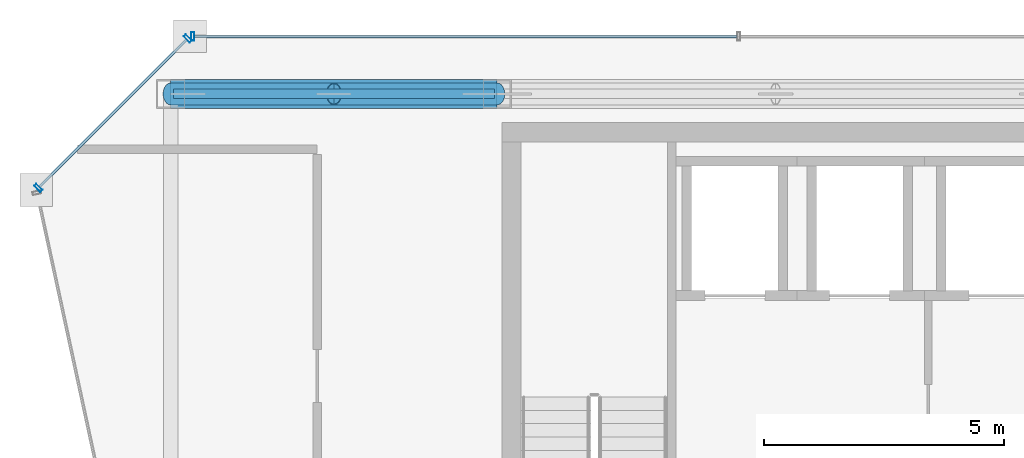
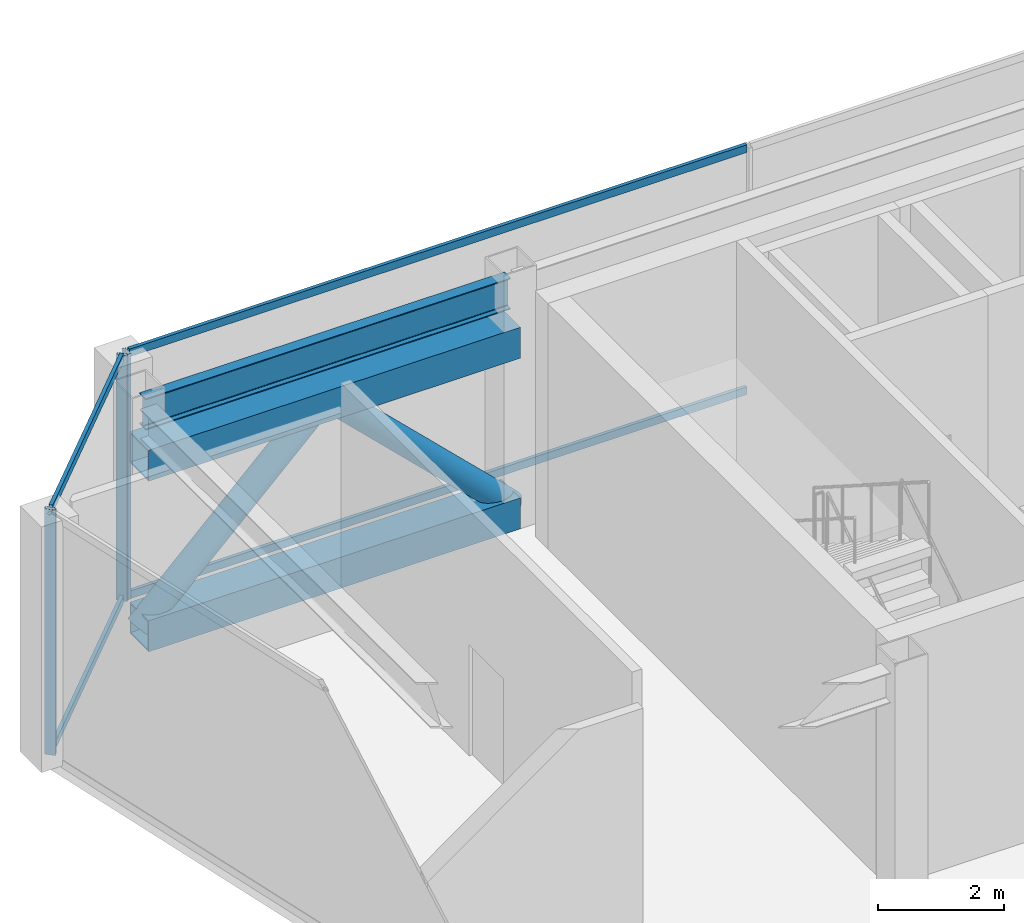
# One storey, part 6 of 20: 11 members, 1 beam, 2 elements without a shape of their own.
"""IFC4 building model written with IfcOpenShell, lengths in metres."""

from ifc_helpers import new_model, si_unit, direction, frame, origin, origin_2d, place, context, subcontext, project, spatial, hollow_rectangle, hollow_circle, i_section, extrude, material, material_profile, profile_set, type_object, element, aggregate, save


model = new_model("IFC4")

# Units and contexts
model_context = context("Model", 3, precision=1e-05, world=origin(), true_north=direction((0.0, 1.0)))
body_context = subcontext(model_context, "Body", "Model", "MODEL_VIEW")
ifc_project = project(units=[si_unit("LENGTHUNIT", "METRE"), si_unit("AREAUNIT", "SQUARE_METRE"), si_unit("VOLUMEUNIT", "CUBIC_METRE"), si_unit("PLANEANGLEUNIT", "RADIAN"), si_unit("MASSUNIT", "GRAM", prefix="KILO")], contexts=[model_context])

# Site, building, storey
site_placement = place(None, origin())
site = spatial("IfcSite", under=ifc_project, at=site_placement, CompositionType="ELEMENT")
building_placement = place(site_placement, origin())
building = spatial("IfcBuilding", under=site, at=building_placement, Name="Saevonmaru Cultural Tower", CompositionType="ELEMENT")
storey_placement = place(building_placement, frame((0.0, 0.0, 314.199951171875)))
storey = spatial("IfcBuildingStorey", under=building, at=storey_placement, Name="L75", CompositionType="ELEMENT", Elevation=314.199951171875)

# Beam
ifc_material_1 = material(Name="Steel SM355", Category="steel")
ifc_material_profile_1 = material_profile(ifc_material_1, i_section(OverallWidth=0.199951171875, OverallDepth=0.60009765625, WebThickness=0.010986328125, FlangeThickness=0.01708984375, FilletRadius=0.02197265625, at=origin_2d()), Name="H-600x200x11x17")
ifc_profile_set_1 = profile_set([ifc_material_profile_1], Name="Steel SM355")
beam_type = type_object("IfcBeamType", Name="BM-SP-H600", PredefinedType="SPANDREL", material=ifc_profile_set_1)
beam_placement = place(storey_placement, frame((6.860107421875, 54.800048828125, 4.449951171875), z_axis=(1.0, 0.0, 0.0), x_axis=(0.0, 1.0, 0.0)))
element("IfcBeam", 1, at=beam_placement, inside=storey, type_object=beam_type, Name="L75 North Spine Girder 1", PredefinedType="SPANDREL", context=body_context, shape_type="SweptSolid", body=[
    extrude(i_section(OverallWidth=0.199951171875, OverallDepth=0.60009765625, WebThickness=0.010986328125, FlangeThickness=0.01708984375, FilletRadius=0.02197265625, at=origin_2d()), origin(), (0.0, 0.0, 1.0), 6.679931640625),
])

# Members
ifc_material_2 = material(Name="Steel SM420", Category="steel")
ifc_material_profile_2 = material_profile(ifc_material_2, hollow_circle(Radius=0.228515625, WallThickness=0.02001953125, at=origin_2d()), Name="CHS-457.2x20")
ifc_profile_set_2 = profile_set([ifc_material_profile_2], Name="Steel SM420")
member_type_1 = type_object("IfcMemberType", Name="MB-OBR-CHS457", PredefinedType="BRACE", material=ifc_profile_set_2)
member_1_placement = place(storey_placement, frame((6.800048828125, 54.800048828125, 0.300048828125), z_axis=(0.717565543198, 0.0, 0.696490984303), x_axis=(0.0, 1.0, 0.0)))
element("IfcMember", 2, at=member_1_placement, inside=storey, type_object=member_type_1, Name="L75 Outrigger Truss Diagonal OW2-1", PredefinedType="BRACE", context=body_context, shape_type="SweptSolid", body=[
    extrude(hollow_circle(Radius=0.228515625, WallThickness=0.02001953125, at=origin_2d()), origin(), (0.0, 0.0, 1.0), 4.738037109375),
])
member_2_placement = place(storey_placement, frame((13.60009765625, 54.800048828125, 0.300048828125), z_axis=(-0.717590537562, 0.0, 0.69646523273), x_axis=(0.0, -1.0, 0.0)))
element("IfcMember", 3, at=member_2_placement, inside=storey, type_object=member_type_1, Name="L75 Outrigger Truss Diagonal OW2-2", PredefinedType="BRACE", context=body_context, shape_type="SweptSolid", body=[
    extrude(hollow_circle(Radius=0.228515625, WallThickness=0.02001953125, at=origin_2d()), origin(), (0.0, 0.0, 1.0), 4.73828125),
])
ifc_material_profile_3 = material_profile(ifc_material_2, hollow_rectangle(XDim=0.60009765625, YDim=0.60009765625, WallThickness=0.028076171875, at=origin_2d()), Name="BOX-600x600x28")
ifc_profile_set_3 = profile_set([ifc_material_profile_3], Name="Steel SM420")
member_type_2 = type_object("IfcMemberType", Name="MB-OCH-BOX600", PredefinedType="CHORD", material=ifc_profile_set_3)
for number, where, z_axis, x_axis, name in (
    (4, (6.800048828125, 54.800048828125, 0.300048828125), (1.0, 0.0, 0.0), (0.0, 1.0, 0.0), "L75 Outrigger Truss Bottom Chord OW2"),
    (5, (6.800048828125, 54.800048828125, 3.60009765625), (1.0, 0.0, 0.0), (0.0, 1.0, 0.0), "L75 Outrigger Truss Top Chord OW2"),
):
    element("IfcMember", number, at=place(storey_placement, frame(where, z_axis=z_axis, x_axis=x_axis)), inside=storey, type_object=member_type_2, Name=name, PredefinedType="CHORD", context=body_context, shape_type="SweptSolid", body=[
        extrude(hollow_rectangle(XDim=0.60009765625, YDim=0.60009765625, WallThickness=0.028076171875, at=origin_2d()), origin(), (0.0, 0.0, 1.0), 6.800048828125),
    ])

# Curtain wall, member
ifc_material_3 = material(Name="Satin Bronze Anodised Aluminium", Category="aluminium")
curtain_wall_type = type_object("IfcCurtainWallType", Name="CW-TYP-B", PredefinedType="NOTDEFINED", material=ifc_material_3)
curtain_wall_1_placement = place(storey_placement, origin())
curtain_wall_1 = element("IfcCurtainWall", 6, at=curtain_wall_1_placement, inside=storey, type_object=curtain_wall_type, Name="L75 Wind-Floor Acoustic Louvre Screen E10", PredefinedType="NOTDEFINED")
ifc_material_profile_4 = material_profile(ifc_material_3, hollow_rectangle(XDim=0.06494140625, YDim=0.179931640625, WallThickness=0.00390625, at=origin_2d()), Name="ALU-MULL-180x65x4")
ifc_profile_set_4 = profile_set([ifc_material_profile_4], Name="Satin Bronze Anodised Aluminium")
member_type_3 = type_object("IfcMemberType", Name="ML-CW-180x65", PredefinedType="MULLION", material=ifc_profile_set_4)
member_3_placement = place(storey_placement, frame((7.260009765625, 56.0, 0.0), z_axis=(0.0, 0.0, 1.0), x_axis=(-1.0, 0.0, 0.0)))
member_3 = element("IfcMember", 7, at=member_3_placement, type_object=member_type_3, Name="CW-TW-L75-E10 mullion 5", PredefinedType="MULLION", context=body_context, shape_type="SweptSolid", body=[
    extrude(hollow_rectangle(XDim=0.06494140625, YDim=0.179931640625, WallThickness=0.00390625, at=origin_2d()), origin(), (0.0, 0.0, 1.0), 4.75),
])

# Curtain wall, members
curtain_wall_2_placement = place(storey_placement, origin())
curtain_wall_2 = element("IfcCurtainWall", 8, at=curtain_wall_2_placement, inside=storey, type_object=curtain_wall_type, Name="L75 Wind-Floor Acoustic Louvre Screen E11", PredefinedType="NOTDEFINED")
member_4_placement = place(storey_placement, frame((7.15771484375, 55.95751953125, 0.0), z_axis=(0.0, 0.0, 1.0), x_axis=(-0.707106781187, -0.707106781187, 0.0)))
member_4 = element("IfcMember", 9, at=member_4_placement, type_object=member_type_3, Name="CW-TW-L75-E11 mullion 1", PredefinedType="MULLION", context=body_context, shape_type="SweptSolid", body=[
    extrude(hollow_rectangle(XDim=0.06494140625, YDim=0.179931640625, WallThickness=0.00390625, at=origin_2d()), origin(), (0.0, 0.0, 1.0), 4.75),
])
member_5_placement = place(storey_placement, frame((4.04248046875, 52.84228515625, 0.0), z_axis=(0.0, 0.0, 1.0), x_axis=(-0.707106781187, -0.707106781187, 0.0)))
member_5 = element("IfcMember", 10, at=member_5_placement, type_object=member_type_3, Name="CW-TW-L75-E11 mullion 2", PredefinedType="MULLION", context=body_context, shape_type="SweptSolid", body=[
    extrude(hollow_rectangle(XDim=0.06494140625, YDim=0.179931640625, WallThickness=0.00390625, at=origin_2d()), origin(), (0.0, 0.0, 1.0), 4.75),
])

# Member
ifc_material_profile_5 = material_profile(ifc_material_3, hollow_rectangle(XDim=0.06494140625, YDim=0.14990234375, WallThickness=0.00390625, at=origin_2d()), Name="ALU-TRAN-150x65x4")
ifc_profile_set_5 = profile_set([ifc_material_profile_5], Name="Satin Bronze Anodised Aluminium")
member_type_4 = type_object("IfcMemberType", Name="TR-CW-150x65", PredefinedType="USERDEFINED", material=ifc_profile_set_5)
member_6_placement = place(storey_placement, frame((18.597412109375, 56.0, 0.032470703125), z_axis=(-1.0, 0.0, 0.0), x_axis=(0.0, -1.0, 0.0)))
member_6 = element("IfcMember", 11, at=member_6_placement, type_object=member_type_4, Name="CW-TW-L75-E10 transom 4.1", ObjectType="TRANSOM", PredefinedType="USERDEFINED", context=body_context, shape_type="SweptSolid", body=[
    extrude(hollow_rectangle(XDim=0.06494140625, YDim=0.14990234375, WallThickness=0.00390625, at=origin_2d()), origin(), (0.0, 0.0, 1.0), 11.304931640625),
])

member_7_placement = place(storey_placement, frame((18.597412109375, 56.0, 4.717529296875), z_axis=(-1.0, 0.0, 0.0), x_axis=(0.0, -1.0, 0.0)))
member_7 = element("IfcMember", 12, at=member_7_placement, type_object=member_type_4, Name="CW-TW-L75-E10 transom 4.2", ObjectType="TRANSOM", PredefinedType="USERDEFINED", context=body_context, shape_type="SweptSolid", body=[
    extrude(hollow_rectangle(XDim=0.06494140625, YDim=0.14990234375, WallThickness=0.00390625, at=origin_2d()), origin(), (0.0, 0.0, 1.0), 11.304931640625),
])

aggregate(curtain_wall_1, [member_3, member_6, member_7])

member_8_placement = place(storey_placement, frame((7.134521484375, 55.9345703125, 0.032470703125), z_axis=(-0.707106781187, -0.707106781187, 0.0), x_axis=(0.707106781187, -0.707106781187, 0.0)))
member_8 = element("IfcMember", 13, at=member_8_placement, type_object=member_type_4, Name="CW-TW-L75-E11 transom 1.1", ObjectType="TRANSOM", PredefinedType="USERDEFINED", context=body_context, shape_type="SweptSolid", body=[
    extrude(hollow_rectangle(XDim=0.06494140625, YDim=0.14990234375, WallThickness=0.00390625, at=origin_2d()), origin(), (0.0, 0.0, 1.0), 4.34033203125),
])

member_9_placement = place(storey_placement, frame((7.134521484375, 55.9345703125, 4.717529296875), z_axis=(-0.707106781187, -0.707106781187, 0.0), x_axis=(0.707106781187, -0.707106781187, 0.0)))
member_9 = element("IfcMember", 14, at=member_9_placement, type_object=member_type_4, Name="CW-TW-L75-E11 transom 1.2", ObjectType="TRANSOM", PredefinedType="USERDEFINED", context=body_context, shape_type="SweptSolid", body=[
    extrude(hollow_rectangle(XDim=0.06494140625, YDim=0.14990234375, WallThickness=0.00390625, at=origin_2d()), origin(), (0.0, 0.0, 1.0), 4.34033203125),
])

aggregate(curtain_wall_2, [member_4, member_5, member_8, member_9])

save(model, "model.ifc")
